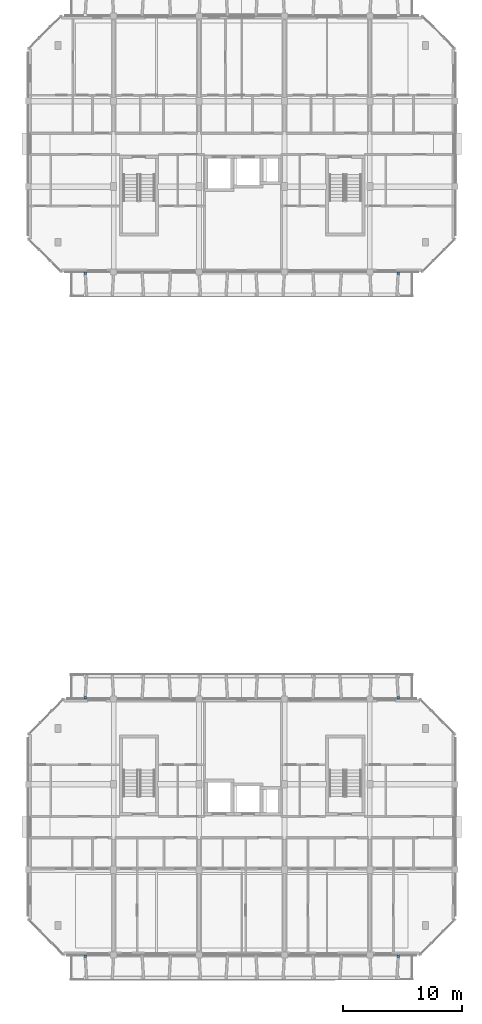
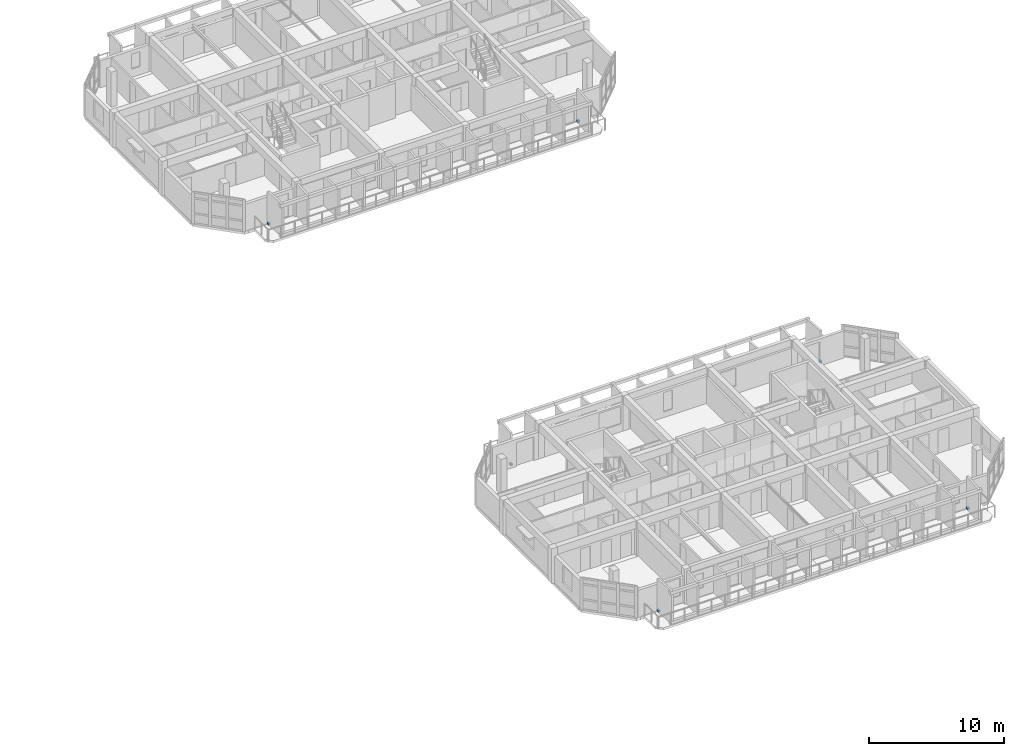
# One storey, part 32 of 44: 6 discrete accessories.
"""IFC4 building model written with IfcOpenShell, lengths in metres."""

from ifc_helpers import new_model, si_unit, direction, frame, origin, origin_2d, place, context, subcontext, project, spatial, rectangle, extrude, material, type_object, element, save


model = new_model("IFC4")

# Units and contexts
model_context = context("Model", 3, precision=1e-05, world=origin(), true_north=direction((0.0, 1.0)))
body_context = subcontext(model_context, "Body", "Model", "MODEL_VIEW")
ifc_project = project(units=[si_unit("LENGTHUNIT", "METRE"), si_unit("AREAUNIT", "SQUARE_METRE"), si_unit("VOLUMEUNIT", "CUBIC_METRE"), si_unit("PLANEANGLEUNIT", "RADIAN"), si_unit("MASSUNIT", "GRAM", prefix="KILO")], contexts=[model_context])

# Site, building, storey
site_placement = place(None, origin())
site = spatial("IfcSite", under=ifc_project, at=site_placement, CompositionType="ELEMENT")
building_placement = place(site_placement, origin())
building = spatial("IfcBuilding", under=site, at=building_placement, Name="Ochrevale Crest", CompositionType="ELEMENT")
storey_placement = place(building_placement, frame((0.0, 0.0, 21.300048828125)))
storey = spatial("IfcBuildingStorey", under=building, at=storey_placement, Name="L06", CompositionType="ELEMENT", Elevation=21.300048828125)

# Discrete accessories
ifc_material = material(Name="Galvanised steel", Category="steel")
discrete_accessory_type = type_object("IfcDiscreteAccessoryType", Name="ACC-BRK-HC", PredefinedType="BRACKET", material=ifc_material)
for number, where, z_axis, x_axis, name in (
    (1, (134.39990234375, 14.300048828125, 0.0), (0.0, 0.0, 1.0), (1.0, 0.0, 0.0), "Block C L06 precast loggia corbel bracket"),
    (2, (160.800048828125, 14.300048828125, 0.0), (0.0, 0.0, 1.0), (1.0, 0.0, 0.0), "Block C L06 precast loggia corbel bracket"),
    (3, (134.39990234375, 36.10009765625, 0.0), (0.0, 0.0, 1.0), (1.0, 0.0, 0.0), "Block C L06 precast loggia corbel bracket"),
    (4, (160.800048828125, 36.10009765625, 0.0), (0.0, 0.0, 1.0), (1.0, 0.0, 0.0), "Block C L06 precast loggia corbel bracket"),
    (5, (134.39990234375, 71.89990234375, 0.0), (0.0, 0.0, 1.0), (1.0, 0.0, 0.0), "Block D L06 precast loggia corbel bracket"),
    (6, (160.800048828125, 71.89990234375, 0.0), (0.0, 0.0, 1.0), (1.0, 0.0, 0.0), "Block D L06 precast loggia corbel bracket"),
):
    element("IfcDiscreteAccessory", number, at=place(storey_placement, frame(where, z_axis=z_axis, x_axis=x_axis)), inside=storey, type_object=discrete_accessory_type, Name=name, PredefinedType="BRACKET", context=body_context, shape_type="SweptSolid", body=[
        extrude(rectangle(XDim=0.179931640625, YDim=0.219970703125, at=origin_2d()), origin(), (0.0, 0.0, 1.0), 0.179931640625),
    ])

save(model, "model.ifc")
